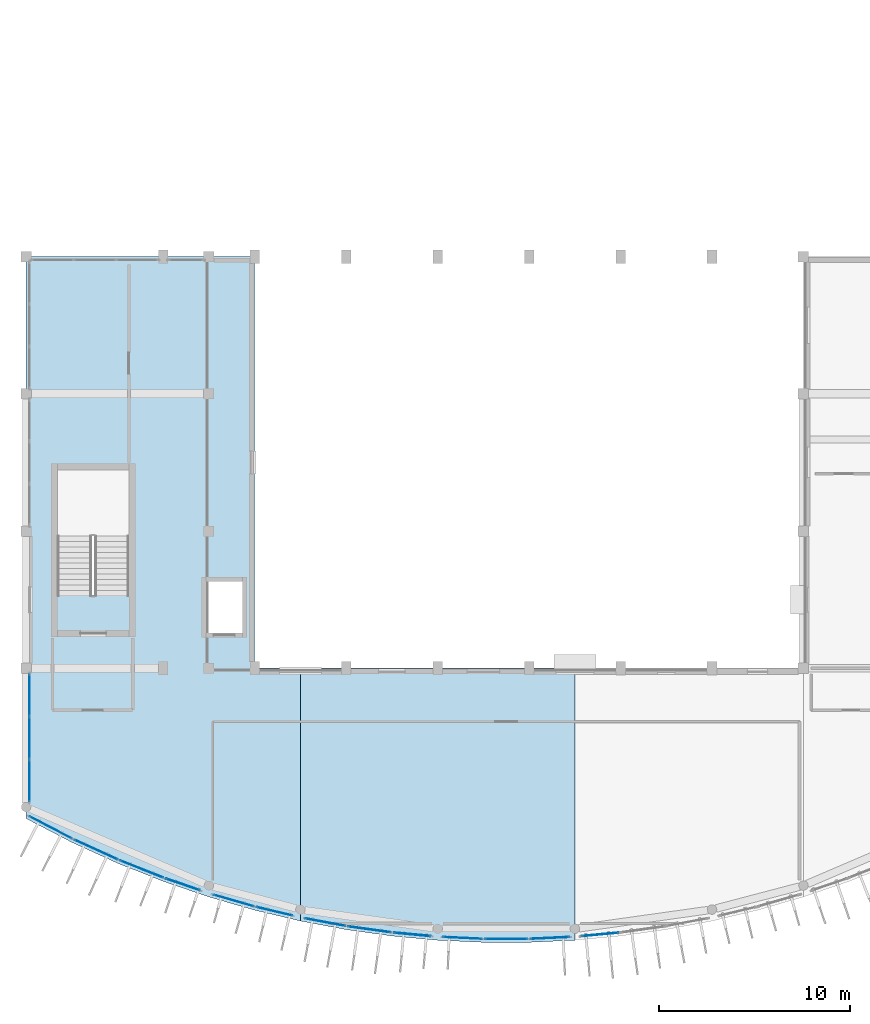
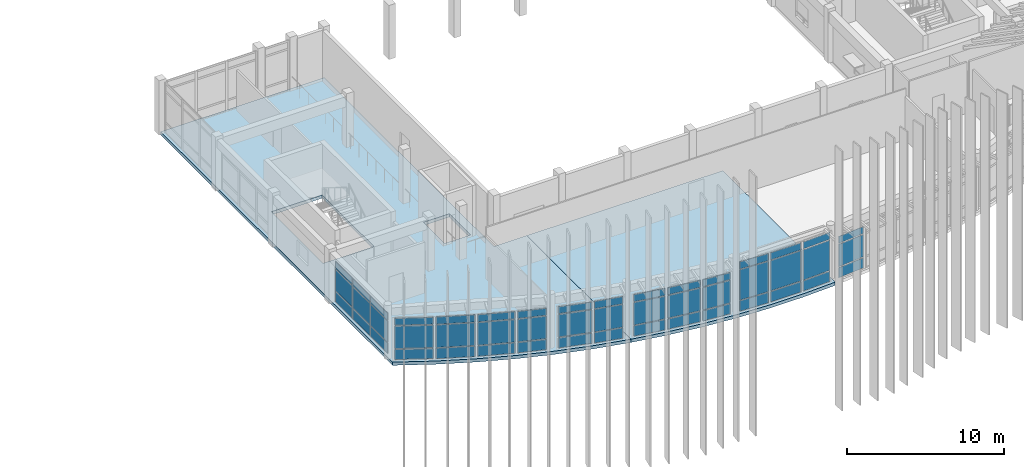
# One storey, part 24 of 47: 48 plates, 2 slabs, 14 elements without a shape of their own.
"""IFC4 building model written with IfcOpenShell, lengths in metres."""

from ifc_helpers import new_model, si_unit, direction, frame, origin, origin_2d, place, context, subcontext, project, spatial, polyline, rectangle, outline, extrude, material, layer, layer_set, type_object, element, aggregate, save


model = new_model("IFC4")

# Units and contexts
model_context = context("Model", 3, precision=1e-05, world=origin(), true_north=direction((0.0, 1.0)))
body_context = subcontext(model_context, "Body", "Model", "MODEL_VIEW")
ifc_project = project(units=[si_unit("LENGTHUNIT", "METRE"), si_unit("AREAUNIT", "SQUARE_METRE"), si_unit("VOLUMEUNIT", "CUBIC_METRE"), si_unit("PLANEANGLEUNIT", "RADIAN"), si_unit("MASSUNIT", "GRAM", prefix="KILO")], contexts=[model_context])

# Site, building, storey
site_placement = place(None, origin())
site = spatial("IfcSite", under=ifc_project, at=site_placement, CompositionType="ELEMENT")
building_placement = place(site_placement, origin())
building = spatial("IfcBuilding", under=site, at=building_placement, Name="Brisavento Harbour Community Centre", CompositionType="ELEMENT")
storey_placement = place(building_placement, frame((0.0, 0.0, 8.699951171875)))
storey = spatial("IfcBuildingStorey", under=building, at=storey_placement, Name="L02", CompositionType="ELEMENT", Elevation=8.699951171875)

# Curtain wall, plates
ifc_material_1 = material(Name="Marine-anodised aluminium AW-6063-T6", Category="aluminium")
ifc_layer_1 = layer(ifc_material_1, 0.179931640625, Name="Marine-anodised aluminium AW-6063-T6")
ifc_layer_set_1 = layer_set([ifc_layer_1], Name="Marine-anodised aluminium AW-6063-T6")
curtain_wall_type_1 = type_object("IfcCurtainWallType", Name="CW-SYS-12", PredefinedType="USERDEFINED", material=ifc_layer_set_1)
curtain_wall_1_placement = place(storey_placement, origin())
curtain_wall_1 = element("IfcCurtainWall", 1, at=curtain_wall_1_placement, inside=storey, type_object=curtain_wall_type_1, Name="L02 V1 unitised curtain wall 096", ObjectType="UNITISED CURTAIN WALL", PredefinedType="USERDEFINED")
ifc_material_2 = material(Name="Solar-control laminated low-E glass", Category="glass")
ifc_layer_2 = layer(ifc_material_2, 0.02392578125, Name="Solar-control laminated low-E glass")
ifc_layer_set_2 = layer_set([ifc_layer_2], Name="Solar-control laminated low-E glass")
plate_type_1 = type_object("IfcPlateType", Name="CWP-GLZ-1", PredefinedType="CURTAIN_PANEL", material=ifc_layer_set_2)
plate_1_placement = place(storey_placement, frame((10.90283203125, 2.206787109375, 0.080078125), z_axis=(0.0, 0.0, 1.0), x_axis=(-0.960866482785, 0.277011917183, 0.0)))
plate_1 = element("IfcPlate", 2, at=plate_1_placement, type_object=plate_type_1, Name="CW-12 panel 1.1", PredefinedType="CURTAIN_PANEL", context=body_context, shape_type="SweptSolid", body=[
    extrude(rectangle(XDim=2.19140625, YDim=0.02392578125, at=origin_2d()), origin(), (0.0, 0.0, 1.0), 0.780029296875),
])
plate_2_placement = place(storey_placement, frame((10.90283203125, 2.206787109375, 0.93994140625), z_axis=(0.0, 0.0, 1.0), x_axis=(-0.960866482785, 0.277011917183, 0.0)))
plate_2 = element("IfcPlate", 3, at=plate_2_placement, type_object=plate_type_1, Name="CW-12 panel 1.2", PredefinedType="CURTAIN_PANEL", context=body_context, shape_type="SweptSolid", body=[
    extrude(rectangle(XDim=2.19140625, YDim=0.02392578125, at=origin_2d()), origin(), (0.0, 0.0, 1.0), 1.72998046875),
])
plate_3_placement = place(storey_placement, frame((10.90283203125, 2.206787109375, 2.75), z_axis=(0.0, 0.0, 1.0), x_axis=(-0.960866482785, 0.277011917183, 0.0)))
plate_3 = element("IfcPlate", 4, at=plate_3_placement, type_object=plate_type_1, Name="CW-12 panel 1.3", PredefinedType="CURTAIN_PANEL", context=body_context, shape_type="SweptSolid", body=[
    extrude(rectangle(XDim=2.19140625, YDim=0.02392578125, at=origin_2d()), origin(), (0.0, 0.0, 1.0), 0.530029296875),
])
aggregate(curtain_wall_1, [plate_1, plate_2, plate_3])

ifc_layer_3 = layer(ifc_material_1, 0.179931640625, Name="Marine-anodised aluminium AW-6063-T6")
ifc_layer_set_3 = layer_set([ifc_layer_3], Name="Marine-anodised aluminium AW-6063-T6")
curtain_wall_type_2 = type_object("IfcCurtainWallType", Name="CW-SYS-17", PredefinedType="USERDEFINED", material=ifc_layer_set_3)
curtain_wall_2_placement = place(storey_placement, origin())
curtain_wall_2 = element("IfcCurtainWall", 5, at=curtain_wall_2_placement, inside=storey, type_object=curtain_wall_type_2, Name="L02 V1 unitised curtain wall 101", ObjectType="UNITISED CURTAIN WALL", PredefinedType="USERDEFINED")
plate_4_placement = place(storey_placement, frame((22.908447265625, 0.244384765625, 0.06494140625), z_axis=(0.0, 0.0, 1.0), x_axis=(-0.998933696469, 0.046167846582, 0.0)))
plate_4 = element("IfcPlate", 6, at=plate_4_placement, type_object=plate_type_1, Name="CW-17 panel 1.1", PredefinedType="CURTAIN_PANEL", context=body_context, shape_type="SweptSolid", body=[
    extrude(rectangle(XDim=2.035888671875, YDim=0.02392578125, at=origin_2d()), origin(), (0.0, 0.0, 1.0), 0.802490234375),
])
plate_5_placement = place(storey_placement, frame((22.908447265625, 0.244384765625, 0.9326171875), z_axis=(0.0, 0.0, 1.0), x_axis=(-0.998933696469, 0.046167846582, 0.0)))
plate_5 = element("IfcPlate", 7, at=plate_5_placement, type_object=plate_type_1, Name="CW-17 panel 1.2", PredefinedType="CURTAIN_PANEL", context=body_context, shape_type="SweptSolid", body=[
    extrude(rectangle(XDim=2.035888671875, YDim=0.02392578125, at=origin_2d()), origin(), (0.0, 0.0, 1.0), 2.344970703125),
])
plate_6_placement = place(storey_placement, frame((22.908447265625, 0.244384765625, 3.3427734375), z_axis=(0.0, 0.0, 1.0), x_axis=(-0.998933696469, 0.046167846582, 0.0)))
plate_6 = element("IfcPlate", 8, at=plate_6_placement, type_object=plate_type_1, Name="CW-17 panel 1.3", PredefinedType="CURTAIN_PANEL", context=body_context, shape_type="SweptSolid", body=[
    extrude(rectangle(XDim=2.035888671875, YDim=0.02392578125, at=origin_2d()), origin(), (0.0, 0.0, 1.0), 0.552490234375),
])
aggregate(curtain_wall_2, [plate_4, plate_5, plate_6])

ifc_layer_4 = layer(ifc_material_1, 0.179931640625, Name="Marine-anodised aluminium AW-6063-T6")
ifc_layer_set_4 = layer_set([ifc_layer_4], Name="Marine-anodised aluminium AW-6063-T6")
curtain_wall_type_3 = type_object("IfcCurtainWallType", Name="CW-SYS-08", PredefinedType="USERDEFINED", material=ifc_layer_set_4)
curtain_wall_3_placement = place(storey_placement, origin())
curtain_wall_3 = element("IfcCurtainWall", 9, at=curtain_wall_3_placement, inside=storey, type_object=curtain_wall_type_3, Name="L02 V1 unitised curtain wall 092", ObjectType="UNITISED CURTAIN WALL", PredefinedType="USERDEFINED")
ifc_layer_5 = layer(ifc_material_2, 0.028076171875, Name="Solar-control laminated low-E glass")
ifc_layer_set_5 = layer_set([ifc_layer_5], Name="Solar-control laminated low-E glass")
plate_type_2 = type_object("IfcPlateType", Name="CWP-GLZ-2", PredefinedType="CURTAIN_PANEL", material=ifc_layer_set_5)
plate_7_placement = place(storey_placement, frame((1.295166015625, 6.04296875, 0.080078125), z_axis=(0.0, 0.0, 1.0), x_axis=(-0.887019684969, 0.461731608705, 0.0)))
plate_7 = element("IfcPlate", 10, at=plate_7_placement, type_object=plate_type_2, Name="CW-08 panel 1.1", PredefinedType="CURTAIN_PANEL", context=body_context, shape_type="SweptSolid", body=[
    extrude(rectangle(XDim=2.482421875, YDim=0.028076171875, at=origin_2d()), origin(), (0.0, 0.0, 1.0), 0.780029296875),
])
plate_8_placement = place(storey_placement, frame((1.295166015625, 6.04296875, 0.93994140625), z_axis=(0.0, 0.0, 1.0), x_axis=(-0.887019684969, 0.461731608705, 0.0)))
plate_8 = element("IfcPlate", 11, at=plate_8_placement, type_object=plate_type_2, Name="CW-08 panel 1.2", PredefinedType="CURTAIN_PANEL", context=body_context, shape_type="SweptSolid", body=[
    extrude(rectangle(XDim=2.482421875, YDim=0.028076171875, at=origin_2d()), origin(), (0.0, 0.0, 1.0), 1.72998046875),
])
plate_9_placement = place(storey_placement, frame((1.295166015625, 6.04296875, 2.75), z_axis=(0.0, 0.0, 1.0), x_axis=(-0.887019684969, 0.461731608705, 0.0)))
plate_9 = element("IfcPlate", 12, at=plate_9_placement, type_object=plate_type_2, Name="CW-08 panel 1.3", PredefinedType="CURTAIN_PANEL", context=body_context, shape_type="SweptSolid", body=[
    extrude(rectangle(XDim=2.482421875, YDim=0.028076171875, at=origin_2d()), origin(), (0.0, 0.0, 1.0), 0.530029296875),
])
aggregate(curtain_wall_3, [plate_7, plate_8, plate_9])

ifc_layer_6 = layer(ifc_material_1, 0.179931640625, Name="Marine-anodised aluminium AW-6063-T6")
ifc_layer_set_6 = layer_set([ifc_layer_6], Name="Marine-anodised aluminium AW-6063-T6")
curtain_wall_type_4 = type_object("IfcCurtainWallType", Name="CW-SYS-13", PredefinedType="USERDEFINED", material=ifc_layer_set_6)
curtain_wall_4_placement = place(storey_placement, origin())
curtain_wall_4 = element("IfcCurtainWall", 13, at=curtain_wall_4_placement, inside=storey, type_object=curtain_wall_type_4, Name="L02 V1 unitised curtain wall 097", ObjectType="UNITISED CURTAIN WALL", PredefinedType="USERDEFINED")
plate_10_placement = place(storey_placement, frame((13.0439453125, 1.640625, 0.06494140625), z_axis=(0.0, 0.0, 1.0), x_axis=(-0.972998297489, 0.230812289714, 0.0)))
plate_10 = element("IfcPlate", 14, at=plate_10_placement, type_object=plate_type_2, Name="CW-13 panel 1.1", PredefinedType="CURTAIN_PANEL", context=body_context, shape_type="SweptSolid", body=[
    extrude(rectangle(XDim=1.89404296875, YDim=0.028076171875, at=origin_2d()), origin(), (0.0, 0.0, 1.0), 0.802490234375),
])
plate_11_placement = place(storey_placement, frame((13.0439453125, 1.640625, 0.932373046875), z_axis=(0.0, 0.0, 1.0), x_axis=(-0.972998297489, 0.230812289714, 0.0)))
plate_11 = element("IfcPlate", 15, at=plate_11_placement, type_object=plate_type_2, Name="CW-13 panel 1.2", PredefinedType="CURTAIN_PANEL", context=body_context, shape_type="SweptSolid", body=[
    extrude(rectangle(XDim=1.89404296875, YDim=0.028076171875, at=origin_2d()), origin(), (0.0, 0.0, 1.0), 1.7451171875),
])
plate_12_placement = place(storey_placement, frame((13.0439453125, 1.640625, 2.74267578125), z_axis=(0.0, 0.0, 1.0), x_axis=(-0.972998297489, 0.230812289714, 0.0)))
plate_12 = element("IfcPlate", 16, at=plate_12_placement, type_object=plate_type_2, Name="CW-13 panel 1.3", PredefinedType="CURTAIN_PANEL", context=body_context, shape_type="SweptSolid", body=[
    extrude(rectangle(XDim=1.89404296875, YDim=0.028076171875, at=origin_2d()), origin(), (0.0, 0.0, 1.0), 0.552490234375),
])
aggregate(curtain_wall_4, [plate_10, plate_11, plate_12])

ifc_layer_7 = layer(ifc_material_1, 0.179931640625, Name="Marine-anodised aluminium AW-6063-T6")
ifc_layer_set_7 = layer_set([ifc_layer_7], Name="Marine-anodised aluminium AW-6063-T6")
curtain_wall_type_5 = type_object("IfcCurtainWallType", Name="CW-SYS-18", PredefinedType="USERDEFINED", material=ifc_layer_set_7)
curtain_wall_5_placement = place(storey_placement, origin())
curtain_wall_5 = element("IfcCurtainWall", 17, at=curtain_wall_5_placement, inside=storey, type_object=curtain_wall_type_5, Name="L02 V1 unitised curtain wall 102", ObjectType="UNITISED CURTAIN WALL", PredefinedType="USERDEFINED")
plate_13_placement = place(storey_placement, frame((25.199951171875, 0.19384765625, 0.070068359375), z_axis=(0.0, 0.0, 1.0), x_axis=(-1.0, 0.0, 0.0)))
plate_13 = element("IfcPlate", 18, at=plate_13_placement, type_object=plate_type_2, Name="CW-18 panel 1.1", PredefinedType="CURTAIN_PANEL", context=body_context, shape_type="SweptSolid", body=[
    extrude(rectangle(XDim=2.22412109375, YDim=0.028076171875, at=origin_2d()), origin(), (0.0, 0.0, 1.0), 0.794921875),
])
plate_14_placement = place(storey_placement, frame((25.199951171875, 0.19384765625, 0.93505859375), z_axis=(0.0, 0.0, 1.0), x_axis=(-1.0, 0.0, 0.0)))
plate_14 = element("IfcPlate", 19, at=plate_14_placement, type_object=plate_type_2, Name="CW-18 panel 1.2", PredefinedType="CURTAIN_PANEL", context=body_context, shape_type="SweptSolid", body=[
    extrude(rectangle(XDim=2.22412109375, YDim=0.028076171875, at=origin_2d()), origin(), (0.0, 0.0, 1.0), 2.340087890625),
])
plate_15_placement = place(storey_placement, frame((25.199951171875, 0.19384765625, 3.344970703125), z_axis=(0.0, 0.0, 1.0), x_axis=(-1.0, 0.0, 0.0)))
plate_15 = element("IfcPlate", 20, at=plate_15_placement, type_object=plate_type_2, Name="CW-18 panel 1.3", PredefinedType="CURTAIN_PANEL", context=body_context, shape_type="SweptSolid", body=[
    extrude(rectangle(XDim=2.22412109375, YDim=0.028076171875, at=origin_2d()), origin(), (0.0, 0.0, 1.0), 0.544921875),
])
aggregate(curtain_wall_5, [plate_13, plate_14, plate_15])

ifc_layer_8 = layer(ifc_material_1, 0.179931640625, Name="Marine-anodised aluminium AW-6063-T6")
ifc_layer_set_8 = layer_set([ifc_layer_8], Name="Marine-anodised aluminium AW-6063-T6")
curtain_wall_type_6 = type_object("IfcCurtainWallType", Name="CW-SYS-09", PredefinedType="USERDEFINED", material=ifc_layer_set_8)
curtain_wall_6_placement = place(storey_placement, origin())
curtain_wall_6 = element("IfcCurtainWall", 21, at=curtain_wall_6_placement, inside=storey, type_object=curtain_wall_type_6, Name="L02 V1 unitised curtain wall 093", ObjectType="UNITISED CURTAIN WALL", PredefinedType="USERDEFINED")
ifc_layer_9 = layer(ifc_material_2, 0.031982421875, Name="Solar-control laminated low-E glass")
ifc_layer_set_9 = layer_set([ifc_layer_9], Name="Solar-control laminated low-E glass")
plate_type_3 = type_object("IfcPlateType", Name="CWP-GLZ-3", PredefinedType="CURTAIN_PANEL", material=ifc_layer_set_9)
plate_16_placement = place(storey_placement, frame((3.6748046875, 4.880615234375, 0.06494140625), z_axis=(0.0, 0.0, 1.0), x_axis=(-0.909597727846, 0.415490040189, 0.0)))
plate_16 = element("IfcPlate", 22, at=plate_16_placement, type_object=plate_type_3, Name="CW-09 panel 1.1", PredefinedType="CURTAIN_PANEL", context=body_context, shape_type="SweptSolid", body=[
    extrude(rectangle(XDim=2.472412109375, YDim=0.031982421875, at=origin_2d()), origin(), (0.0, 0.0, 1.0), 0.802490234375),
])
plate_17_placement = place(storey_placement, frame((3.6748046875, 4.880615234375, 0.932373046875), z_axis=(0.0, 0.0, 1.0), x_axis=(-0.909597727846, 0.415490040189, 0.0)))
plate_17 = element("IfcPlate", 23, at=plate_17_placement, type_object=plate_type_3, Name="CW-09 panel 1.2", PredefinedType="CURTAIN_PANEL", context=body_context, shape_type="SweptSolid", body=[
    extrude(rectangle(XDim=2.472412109375, YDim=0.031982421875, at=origin_2d()), origin(), (0.0, 0.0, 1.0), 1.7451171875),
])
plate_18_placement = place(storey_placement, frame((3.6748046875, 4.880615234375, 2.74267578125), z_axis=(0.0, 0.0, 1.0), x_axis=(-0.909597727846, 0.415490040189, 0.0)))
plate_18 = element("IfcPlate", 24, at=plate_18_placement, type_object=plate_type_3, Name="CW-09 panel 1.3", PredefinedType="CURTAIN_PANEL", context=body_context, shape_type="SweptSolid", body=[
    extrude(rectangle(XDim=2.472412109375, YDim=0.031982421875, at=origin_2d()), origin(), (0.0, 0.0, 1.0), 0.552490234375),
])
aggregate(curtain_wall_6, [plate_16, plate_17, plate_18])

ifc_layer_10 = layer(ifc_material_1, 0.179931640625, Name="Marine-anodised aluminium AW-6063-T6")
ifc_layer_set_10 = layer_set([ifc_layer_10], Name="Marine-anodised aluminium AW-6063-T6")
curtain_wall_type_7 = type_object("IfcCurtainWallType", Name="CW-SYS-14", PredefinedType="USERDEFINED", material=ifc_layer_set_10)
curtain_wall_7_placement = place(storey_placement, origin())
curtain_wall_7 = element("IfcCurtainWall", 25, at=curtain_wall_7_placement, inside=storey, type_object=curtain_wall_type_7, Name="L02 V1 unitised curtain wall 098", ObjectType="UNITISED CURTAIN WALL", PredefinedType="USERDEFINED")
plate_19_placement = place(storey_placement, frame((15.7060546875, 1.07177734375, 0.070068359375), z_axis=(0.0, 0.0, 1.0), x_axis=(-0.982796895513, 0.184689637418, 0.0)))
plate_19 = element("IfcPlate", 26, at=plate_19_placement, type_object=plate_type_3, Name="CW-14 panel 1.1", PredefinedType="CURTAIN_PANEL", context=body_context, shape_type="SweptSolid", body=[
    extrude(rectangle(XDim=2.117919921875, YDim=0.031982421875, at=origin_2d()), origin(), (0.0, 0.0, 1.0), 0.794921875),
])
plate_20_placement = place(storey_placement, frame((15.7060546875, 1.07177734375, 0.93505859375), z_axis=(0.0, 0.0, 1.0), x_axis=(-0.982796895513, 0.184689637418, 0.0)))
plate_20 = element("IfcPlate", 27, at=plate_20_placement, type_object=plate_type_3, Name="CW-14 panel 1.2", PredefinedType="CURTAIN_PANEL", context=body_context, shape_type="SweptSolid", body=[
    extrude(rectangle(XDim=2.117919921875, YDim=0.031982421875, at=origin_2d()), origin(), (0.0, 0.0, 1.0), 1.739990234375),
])
plate_21_placement = place(storey_placement, frame((15.7060546875, 1.07177734375, 2.7451171875), z_axis=(0.0, 0.0, 1.0), x_axis=(-0.982796895513, 0.184689637418, 0.0)))
plate_21 = element("IfcPlate", 28, at=plate_21_placement, type_object=plate_type_3, Name="CW-14 panel 1.3", PredefinedType="CURTAIN_PANEL", context=body_context, shape_type="SweptSolid", body=[
    extrude(rectangle(XDim=2.117919921875, YDim=0.031982421875, at=origin_2d()), origin(), (0.0, 0.0, 1.0), 0.544921875),
])
aggregate(curtain_wall_7, [plate_19, plate_20, plate_21])

ifc_layer_11 = layer(ifc_material_1, 0.179931640625, Name="Marine-anodised aluminium AW-6063-T6")
ifc_layer_set_11 = layer_set([ifc_layer_11], Name="Marine-anodised aluminium AW-6063-T6")
curtain_wall_type_8 = type_object("IfcCurtainWallType", Name="CW-SYS-19", PredefinedType="USERDEFINED", material=ifc_layer_set_11)
curtain_wall_8_placement = place(storey_placement, origin())
curtain_wall_8 = element("IfcCurtainWall", 29, at=curtain_wall_8_placement, inside=storey, type_object=curtain_wall_type_8, Name="L02 V1 unitised curtain wall 103", ObjectType="UNITISED CURTAIN WALL", PredefinedType="USERDEFINED")
plate_22_placement = place(storey_placement, frame((27.491455078125, 0.244384765625, 0.074951171875), z_axis=(0.0, 0.0, 1.0), x_axis=(-0.998933696469, -0.046167846582, 0.0)))
plate_22 = element("IfcPlate", 30, at=plate_22_placement, type_object=plate_type_3, Name="CW-19 panel 1.1", PredefinedType="CURTAIN_PANEL", context=body_context, shape_type="SweptSolid", body=[
    extrude(rectangle(XDim=2.01611328125, YDim=0.031982421875, at=origin_2d()), origin(), (0.0, 0.0, 1.0), 0.78759765625),
])
plate_23_placement = place(storey_placement, frame((27.491455078125, 0.244384765625, 0.9375), z_axis=(0.0, 0.0, 1.0), x_axis=(-0.998933696469, -0.046167846582, 0.0)))
plate_23 = element("IfcPlate", 31, at=plate_23_placement, type_object=plate_type_3, Name="CW-19 panel 1.2", PredefinedType="CURTAIN_PANEL", context=body_context, shape_type="SweptSolid", body=[
    extrude(rectangle(XDim=2.01611328125, YDim=0.031982421875, at=origin_2d()), origin(), (0.0, 0.0, 1.0), 2.3349609375),
])
plate_24_placement = place(storey_placement, frame((27.491455078125, 0.244384765625, 3.347412109375), z_axis=(0.0, 0.0, 1.0), x_axis=(-0.998933696469, -0.046167846582, 0.0)))
plate_24 = element("IfcPlate", 32, at=plate_24_placement, type_object=plate_type_3, Name="CW-19 panel 1.3", PredefinedType="CURTAIN_PANEL", context=body_context, shape_type="SweptSolid", body=[
    extrude(rectangle(XDim=2.01611328125, YDim=0.031982421875, at=origin_2d()), origin(), (0.0, 0.0, 1.0), 0.53759765625),
])
aggregate(curtain_wall_8, [plate_22, plate_23, plate_24])

ifc_layer_12 = layer(ifc_material_1, 0.179931640625, Name="Marine-anodised aluminium AW-6063-T6")
ifc_layer_set_12 = layer_set([ifc_layer_12], Name="Marine-anodised aluminium AW-6063-T6")
curtain_wall_type_9 = type_object("IfcCurtainWallType", Name="CW-SYS-10", PredefinedType="USERDEFINED", material=ifc_layer_set_12)
curtain_wall_9_placement = place(storey_placement, origin())
curtain_wall_9 = element("IfcCurtainWall", 33, at=curtain_wall_9_placement, inside=storey, type_object=curtain_wall_type_9, Name="L02 V1 unitised curtain wall 094", ObjectType="UNITISED CURTAIN WALL", PredefinedType="USERDEFINED")
ifc_layer_13 = layer(ifc_material_2, 0.035888671875, Name="Solar-control laminated low-E glass")
ifc_layer_set_13 = layer_set([ifc_layer_13], Name="Solar-control laminated low-E glass")
plate_type_4 = type_object("IfcPlateType", Name="CWP-GLZ-4", PredefinedType="CURTAIN_PANEL", material=ifc_layer_set_13)
plate_25_placement = place(storey_placement, frame((6.06640625, 3.85888671875, 0.070068359375), z_axis=(0.0, 0.0, 1.0), x_axis=(-0.929278798027, 0.369379094613, 0.0)))
plate_25 = element("IfcPlate", 34, at=plate_25_placement, type_object=plate_type_4, Name="CW-10 panel 1.1", PredefinedType="CURTAIN_PANEL", context=body_context, shape_type="SweptSolid", body=[
    extrude(rectangle(XDim=2.40673828125, YDim=0.035888671875, at=origin_2d()), origin(), (0.0, 0.0, 1.0), 0.794921875),
])
plate_26_placement = place(storey_placement, frame((6.06640625, 3.85888671875, 0.93505859375), z_axis=(0.0, 0.0, 1.0), x_axis=(-0.929278798027, 0.369379094613, 0.0)))
plate_26 = element("IfcPlate", 35, at=plate_26_placement, type_object=plate_type_4, Name="CW-10 panel 1.2", PredefinedType="CURTAIN_PANEL", context=body_context, shape_type="SweptSolid", body=[
    extrude(rectangle(XDim=2.40673828125, YDim=0.035888671875, at=origin_2d()), origin(), (0.0, 0.0, 1.0), 1.739990234375),
])
plate_27_placement = place(storey_placement, frame((6.06640625, 3.85888671875, 2.7451171875), z_axis=(0.0, 0.0, 1.0), x_axis=(-0.929278798027, 0.369379094613, 0.0)))
plate_27 = element("IfcPlate", 36, at=plate_27_placement, type_object=plate_type_4, Name="CW-10 panel 1.3", PredefinedType="CURTAIN_PANEL", context=body_context, shape_type="SweptSolid", body=[
    extrude(rectangle(XDim=2.40673828125, YDim=0.035888671875, at=origin_2d()), origin(), (0.0, 0.0, 1.0), 0.544921875),
])
aggregate(curtain_wall_9, [plate_25, plate_26, plate_27])

ifc_layer_14 = layer(ifc_material_1, 0.179931640625, Name="Marine-anodised aluminium AW-6063-T6")
ifc_layer_set_14 = layer_set([ifc_layer_14], Name="Marine-anodised aluminium AW-6063-T6")
curtain_wall_type_10 = type_object("IfcCurtainWallType", Name="CW-SYS-15", PredefinedType="USERDEFINED", material=ifc_layer_set_14)
curtain_wall_10_placement = place(storey_placement, origin())
curtain_wall_10 = element("IfcCurtainWall", 37, at=curtain_wall_10_placement, inside=storey, type_object=curtain_wall_type_10, Name="L02 V1 unitised curtain wall 099", ObjectType="UNITISED CURTAIN WALL", PredefinedType="USERDEFINED")
plate_28_placement = place(storey_placement, frame((18.02490234375, 0.693359375, 0.074951171875), z_axis=(0.0, 0.0, 1.0), x_axis=(-0.990365657711, 0.138476944024, 0.0)))
plate_28 = element("IfcPlate", 38, at=plate_28_placement, type_object=plate_type_4, Name="CW-15 panel 1.1", PredefinedType="CURTAIN_PANEL", context=body_context, shape_type="SweptSolid", body=[
    extrude(rectangle(XDim=2.2373046875, YDim=0.035888671875, at=origin_2d()), origin(), (0.0, 0.0, 1.0), 0.78759765625),
])
plate_29_placement = place(storey_placement, frame((18.02490234375, 0.693359375, 0.9375), z_axis=(0.0, 0.0, 1.0), x_axis=(-0.990365657711, 0.138476944024, 0.0)))
plate_29 = element("IfcPlate", 39, at=plate_29_placement, type_object=plate_type_4, Name="CW-15 panel 1.2", PredefinedType="CURTAIN_PANEL", context=body_context, shape_type="SweptSolid", body=[
    extrude(rectangle(XDim=2.2373046875, YDim=0.035888671875, at=origin_2d()), origin(), (0.0, 0.0, 1.0), 1.735107421875),
])
plate_30_placement = place(storey_placement, frame((18.02490234375, 0.693359375, 2.74755859375), z_axis=(0.0, 0.0, 1.0), x_axis=(-0.990365657711, 0.138476944024, 0.0)))
plate_30 = element("IfcPlate", 40, at=plate_30_placement, type_object=plate_type_4, Name="CW-15 panel 1.3", PredefinedType="CURTAIN_PANEL", context=body_context, shape_type="SweptSolid", body=[
    extrude(rectangle(XDim=2.2373046875, YDim=0.035888671875, at=origin_2d()), origin(), (0.0, 0.0, 1.0), 0.53759765625),
])
aggregate(curtain_wall_10, [plate_28, plate_29, plate_30])

ifc_layer_15 = layer(ifc_material_1, 0.179931640625, Name="Marine-anodised aluminium AW-6063-T6")
ifc_layer_set_15 = layer_set([ifc_layer_15], Name="Marine-anodised aluminium AW-6063-T6")
curtain_wall_type_11 = type_object("IfcCurtainWallType", Name="CW-SYS-20", PredefinedType="USERDEFINED", material=ifc_layer_set_15)
curtain_wall_11_placement = place(storey_placement, origin())
curtain_wall_11 = element("IfcCurtainWall", 41, at=curtain_wall_11_placement, inside=storey, type_object=curtain_wall_type_11, Name="L02 V1 unitised curtain wall 104", ObjectType="UNITISED CURTAIN WALL", PredefinedType="USERDEFINED")
plate_31_placement = place(storey_placement, frame((30.1298828125, 0.428955078125, 0.080078125), z_axis=(0.0, 0.0, 1.0), x_axis=(-0.99573486877, -0.092260886159, 0.0)))
plate_31 = element("IfcPlate", 42, at=plate_31_placement, type_object=plate_type_4, Name="CW-20 panel 1.1", PredefinedType="CURTAIN_PANEL", context=body_context, shape_type="SweptSolid", body=[
    extrude(rectangle(XDim=1.919921875, YDim=0.035888671875, at=origin_2d()), origin(), (0.0, 0.0, 1.0), 0.780029296875),
])
plate_32_placement = place(storey_placement, frame((30.1298828125, 0.428955078125, 0.93994140625), z_axis=(0.0, 0.0, 1.0), x_axis=(-0.99573486877, -0.092260886159, 0.0)))
plate_32 = element("IfcPlate", 43, at=plate_32_placement, type_object=plate_type_4, Name="CW-20 panel 1.2", PredefinedType="CURTAIN_PANEL", context=body_context, shape_type="SweptSolid", body=[
    extrude(rectangle(XDim=1.919921875, YDim=0.035888671875, at=origin_2d()), origin(), (0.0, 0.0, 1.0), 1.72998046875),
])
plate_33_placement = place(storey_placement, frame((30.1298828125, 0.428955078125, 2.75), z_axis=(0.0, 0.0, 1.0), x_axis=(-0.99573486877, -0.092260886159, 0.0)))
plate_33 = element("IfcPlate", 44, at=plate_33_placement, type_object=plate_type_4, Name="CW-20 panel 1.3", PredefinedType="CURTAIN_PANEL", context=body_context, shape_type="SweptSolid", body=[
    extrude(rectangle(XDim=1.919921875, YDim=0.035888671875, at=origin_2d()), origin(), (0.0, 0.0, 1.0), 0.530029296875),
])
aggregate(curtain_wall_11, [plate_31, plate_32, plate_33])

ifc_layer_16 = layer(ifc_material_1, 0.179931640625, Name="Marine-anodised aluminium AW-6063-T6")
ifc_layer_set_16 = layer_set([ifc_layer_16], Name="Marine-anodised aluminium AW-6063-T6")
curtain_wall_type_12 = type_object("IfcCurtainWallType", Name="CW-SYS-11", PredefinedType="USERDEFINED", material=ifc_layer_set_16)
curtain_wall_12_placement = place(storey_placement, origin())
curtain_wall_12 = element("IfcCurtainWall", 45, at=curtain_wall_12_placement, inside=storey, type_object=curtain_wall_type_12, Name="L02 V1 unitised curtain wall 095", ObjectType="UNITISED CURTAIN WALL", PredefinedType="USERDEFINED")
ifc_layer_17 = layer(ifc_material_2, 0.0400390625, Name="Solar-control laminated low-E glass")
ifc_layer_set_17 = layer_set([ifc_layer_17], Name="Solar-control laminated low-E glass")
plate_type_5 = type_object("IfcPlateType", Name="CWP-GLZ-5", PredefinedType="CURTAIN_PANEL", material=ifc_layer_set_17)
plate_34_placement = place(storey_placement, frame((8.23193359375, 3.052490234375, 0.074951171875), z_axis=(0.0, 0.0, 1.0), x_axis=(-0.946338050136, 0.323178425743, 0.0)))
plate_34 = element("IfcPlate", 46, at=plate_34_placement, type_object=plate_type_5, Name="CW-11 panel 1.1", PredefinedType="CURTAIN_PANEL", context=body_context, shape_type="SweptSolid", body=[
    extrude(rectangle(XDim=1.871826171875, YDim=0.0400390625, at=origin_2d()), origin(), (0.0, 0.0, 1.0), 0.78759765625),
])
plate_35_placement = place(storey_placement, frame((8.23193359375, 3.052490234375, 0.9375), z_axis=(0.0, 0.0, 1.0), x_axis=(-0.946338050136, 0.323178425743, 0.0)))
plate_35 = element("IfcPlate", 47, at=plate_35_placement, type_object=plate_type_5, Name="CW-11 panel 1.2", PredefinedType="CURTAIN_PANEL", context=body_context, shape_type="SweptSolid", body=[
    extrude(rectangle(XDim=1.871826171875, YDim=0.0400390625, at=origin_2d()), origin(), (0.0, 0.0, 1.0), 1.735107421875),
])
plate_36_placement = place(storey_placement, frame((8.23193359375, 3.052490234375, 2.74755859375), z_axis=(0.0, 0.0, 1.0), x_axis=(-0.946338050136, 0.323178425743, 0.0)))
plate_36 = element("IfcPlate", 48, at=plate_36_placement, type_object=plate_type_5, Name="CW-11 panel 1.3", PredefinedType="CURTAIN_PANEL", context=body_context, shape_type="SweptSolid", body=[
    extrude(rectangle(XDim=1.871826171875, YDim=0.0400390625, at=origin_2d()), origin(), (0.0, 0.0, 1.0), 0.53759765625),
])
aggregate(curtain_wall_12, [plate_34, plate_35, plate_36])

ifc_layer_18 = layer(ifc_material_1, 0.179931640625, Name="Marine-anodised aluminium AW-6063-T6")
ifc_layer_set_18 = layer_set([ifc_layer_18], Name="Marine-anodised aluminium AW-6063-T6")
curtain_wall_type_13 = type_object("IfcCurtainWallType", Name="CW-SYS-16", PredefinedType="USERDEFINED", material=ifc_layer_set_18)
curtain_wall_13_placement = place(storey_placement, origin())
curtain_wall_13 = element("IfcCurtainWall", 49, at=curtain_wall_13_placement, inside=storey, type_object=curtain_wall_type_13, Name="L02 V1 unitised curtain wall 100", ObjectType="UNITISED CURTAIN WALL", PredefinedType="USERDEFINED")
plate_37_placement = place(storey_placement, frame((20.27001953125, 0.428955078125, 0.080078125), z_axis=(0.0, 0.0, 1.0), x_axis=(-0.99573486877, 0.092260886159, 0.0)))
plate_37 = element("IfcPlate", 50, at=plate_37_placement, type_object=plate_type_5, Name="CW-16 panel 1.1", PredefinedType="CURTAIN_PANEL", context=body_context, shape_type="SweptSolid", body=[
    extrude(rectangle(XDim=1.919921875, YDim=0.0400390625, at=origin_2d()), origin(), (0.0, 0.0, 1.0), 0.780029296875),
])
plate_38_placement = place(storey_placement, frame((20.27001953125, 0.428955078125, 0.93994140625), z_axis=(0.0, 0.0, 1.0), x_axis=(-0.99573486877, 0.092260886159, 0.0)))
plate_38 = element("IfcPlate", 51, at=plate_38_placement, type_object=plate_type_5, Name="CW-16 panel 1.2", PredefinedType="CURTAIN_PANEL", context=body_context, shape_type="SweptSolid", body=[
    extrude(rectangle(XDim=1.919921875, YDim=0.0400390625, at=origin_2d()), origin(), (0.0, 0.0, 1.0), 1.72998046875),
])
plate_39_placement = place(storey_placement, frame((20.27001953125, 0.428955078125, 2.75), z_axis=(0.0, 0.0, 1.0), x_axis=(-0.99573486877, 0.092260886159, 0.0)))
plate_39 = element("IfcPlate", 52, at=plate_39_placement, type_object=plate_type_5, Name="CW-16 panel 1.3", PredefinedType="CURTAIN_PANEL", context=body_context, shape_type="SweptSolid", body=[
    extrude(rectangle(XDim=1.919921875, YDim=0.0400390625, at=origin_2d()), origin(), (0.0, 0.0, 1.0), 0.530029296875),
])
aggregate(curtain_wall_13, [plate_37, plate_38, plate_39])

ifc_layer_19 = layer(ifc_material_1, 0.179931640625, Name="Marine-anodised aluminium AW-6063-T6")
ifc_layer_set_19 = layer_set([ifc_layer_19], Name="Marine-anodised aluminium AW-6063-T6")
curtain_wall_type_14 = type_object("IfcCurtainWallType", Name="CW-SYS-03", PredefinedType="USERDEFINED", material=ifc_layer_set_19)
curtain_wall_14_placement = place(storey_placement, origin())
curtain_wall_14 = element("IfcCurtainWall", 53, at=curtain_wall_14_placement, inside=storey, type_object=curtain_wall_type_14, Name="L02 V1 unitised curtain wall 115", ObjectType="UNITISED CURTAIN WALL", PredefinedType="USERDEFINED")
plate_40_placement = place(storey_placement, frame((0.179931640625, 8.499755859375, 0.074951171875), z_axis=(0.0, 0.0, 1.0), x_axis=(0.0, 1.0, 0.0)))
plate_40 = element("IfcPlate", 54, at=plate_40_placement, type_object=plate_type_5, Name="CW-03 panel 1.1", PredefinedType="CURTAIN_PANEL", context=body_context, shape_type="SweptSolid", body=[
    extrude(rectangle(XDim=2.151123046875, YDim=0.0400390625, at=origin_2d()), origin(), (0.0, 0.0, 1.0), 0.78759765625),
])
plate_41_placement = place(storey_placement, frame((0.179931640625, 8.499755859375, 0.9375), z_axis=(0.0, 0.0, 1.0), x_axis=(0.0, 1.0, 0.0)))
plate_41 = element("IfcPlate", 55, at=plate_41_placement, type_object=plate_type_5, Name="CW-03 panel 1.2", PredefinedType="CURTAIN_PANEL", context=body_context, shape_type="SweptSolid", body=[
    extrude(rectangle(XDim=2.151123046875, YDim=0.0400390625, at=origin_2d()), origin(), (0.0, 0.0, 1.0), 1.635009765625),
])
plate_42_placement = place(storey_placement, frame((0.179931640625, 8.499755859375, 2.6474609375), z_axis=(0.0, 0.0, 1.0), x_axis=(0.0, 1.0, 0.0)))
plate_42 = element("IfcPlate", 56, at=plate_42_placement, type_object=plate_type_5, Name="CW-03 panel 1.3", PredefinedType="CURTAIN_PANEL", context=body_context, shape_type="SweptSolid", body=[
    extrude(rectangle(XDim=2.151123046875, YDim=0.0400390625, at=origin_2d()), origin(), (0.0, 0.0, 1.0), 0.53759765625),
])
plate_43_placement = place(storey_placement, frame((0.179931640625, 10.74462890625, 0.074951171875), z_axis=(0.0, 0.0, 1.0), x_axis=(0.0, 1.0, 0.0)))
plate_43 = element("IfcPlate", 57, at=plate_43_placement, type_object=plate_type_5, Name="CW-03 panel 2.1", PredefinedType="CURTAIN_PANEL", context=body_context, shape_type="SweptSolid", body=[
    extrude(rectangle(XDim=2.188720703125, YDim=0.0400390625, at=origin_2d()), origin(), (0.0, 0.0, 1.0), 0.78759765625),
])
plate_44_placement = place(storey_placement, frame((0.179931640625, 10.74462890625, 0.9375), z_axis=(0.0, 0.0, 1.0), x_axis=(0.0, 1.0, 0.0)))
plate_44 = element("IfcPlate", 58, at=plate_44_placement, type_object=plate_type_5, Name="CW-03 panel 2.2", PredefinedType="CURTAIN_PANEL", context=body_context, shape_type="SweptSolid", body=[
    extrude(rectangle(XDim=2.188720703125, YDim=0.0400390625, at=origin_2d()), origin(), (0.0, 0.0, 1.0), 1.635009765625),
])
plate_45_placement = place(storey_placement, frame((0.179931640625, 10.74462890625, 2.6474609375), z_axis=(0.0, 0.0, 1.0), x_axis=(0.0, 1.0, 0.0)))
plate_45 = element("IfcPlate", 59, at=plate_45_placement, type_object=plate_type_5, Name="CW-03 panel 2.3", PredefinedType="CURTAIN_PANEL", context=body_context, shape_type="SweptSolid", body=[
    extrude(rectangle(XDim=2.188720703125, YDim=0.0400390625, at=origin_2d()), origin(), (0.0, 0.0, 1.0), 0.53759765625),
])
plate_46_placement = place(storey_placement, frame((0.179931640625, 12.989501953125, 0.074951171875), z_axis=(0.0, 0.0, 1.0), x_axis=(0.0, 1.0, 0.0)))
plate_46 = element("IfcPlate", 60, at=plate_46_placement, type_object=plate_type_5, Name="CW-03 panel 3.1", PredefinedType="CURTAIN_PANEL", context=body_context, shape_type="SweptSolid", body=[
    extrude(rectangle(XDim=2.151123046875, YDim=0.0400390625, at=origin_2d()), origin(), (0.0, 0.0, 1.0), 0.78759765625),
])
plate_47_placement = place(storey_placement, frame((0.179931640625, 12.989501953125, 0.9375), z_axis=(0.0, 0.0, 1.0), x_axis=(0.0, 1.0, 0.0)))
plate_47 = element("IfcPlate", 61, at=plate_47_placement, type_object=plate_type_5, Name="CW-03 panel 3.2", PredefinedType="CURTAIN_PANEL", context=body_context, shape_type="SweptSolid", body=[
    extrude(rectangle(XDim=2.151123046875, YDim=0.0400390625, at=origin_2d()), origin(), (0.0, 0.0, 1.0), 1.635009765625),
])
plate_48_placement = place(storey_placement, frame((0.179931640625, 12.989501953125, 2.6474609375), z_axis=(0.0, 0.0, 1.0), x_axis=(0.0, 1.0, 0.0)))
plate_48 = element("IfcPlate", 62, at=plate_48_placement, type_object=plate_type_5, Name="CW-03 panel 3.3", PredefinedType="CURTAIN_PANEL", context=body_context, shape_type="SweptSolid", body=[
    extrude(rectangle(XDim=2.151123046875, YDim=0.0400390625, at=origin_2d()), origin(), (0.0, 0.0, 1.0), 0.53759765625),
])
aggregate(curtain_wall_14, [plate_40, plate_41, plate_42, plate_43, plate_44, plate_45, plate_46, plate_47, plate_48])

# Slabs
ifc_material_3 = material(Name="Concrete C35/45", Category="concrete")
ifc_layer_20 = layer(ifc_material_3, 0.25, Name="Concrete C35/45")
ifc_layer_set_20 = layer_set([ifc_layer_20], Name="Concrete C35/45")
slab_type = type_object("IfcSlabType", Name="SLB-FLR-250", PredefinedType="FLOOR", material=ifc_layer_set_20)
slab_1_placement = place(storey_placement, frame((0.0, 0.0, -0.25)))
element("IfcSlab", 63, at=slab_1_placement, inside=storey, type_object=slab_type, Name="L02 V1 structural floor slab 031", PredefinedType="FLOOR", context=body_context, shape_type="SweptSolid", body=[
    extrude(outline(polyline([(0.0, 36.0), (0.0, 6.51416015625), (2.39990234375, 5.264892578125), (4.800048828125, 4.168701171875), (7.199951171875, 3.21484375), (9.60009765625, 2.395263671875), (12.0, 1.703369140625), (14.39990234375, 1.1337890625), (14.39990234375, 14.39990234375), (12.0, 14.39990234375), (12.0, 36.0), (0.0, 36.0)]), holes=[polyline([(11.35009765625, 18.949951171875), (11.35009765625, 16.25), (9.449951171875, 16.25), (9.449951171875, 18.949951171875), (11.35009765625, 18.949951171875)]), polyline([(1.657958984375, 24.7919921875), (5.39208984375, 24.7919921875), (5.39208984375, 18.2080078125), (1.657958984375, 18.2080078125), (1.657958984375, 24.7919921875)])]), origin(), (0.0, 0.0, 1.0), 0.25),
])
slab_2_placement = place(storey_placement, frame((0.0, 0.0, -0.25)))
element("IfcSlab", 64, at=slab_2_placement, inside=storey, type_object=slab_type, Name="L02 V1 structural floor slab 032", PredefinedType="FLOOR", context=body_context, shape_type="SweptSolid", body=[
    extrude(outline(polyline([(14.39990234375, 14.39990234375), (14.39990234375, 1.1337890625), (16.800048828125, 0.682861328125), (19.199951171875, 0.347412109375), (21.60009765625, 0.124755859375), (24.0, 0.013916015625), (26.39990234375, 0.013916015625), (28.800048828125, 0.124755859375), (28.800048828125, 14.39990234375), (14.39990234375, 14.39990234375)])), origin(), (0.0, 0.0, 1.0), 0.25),
])

save(model, "model.ifc")
